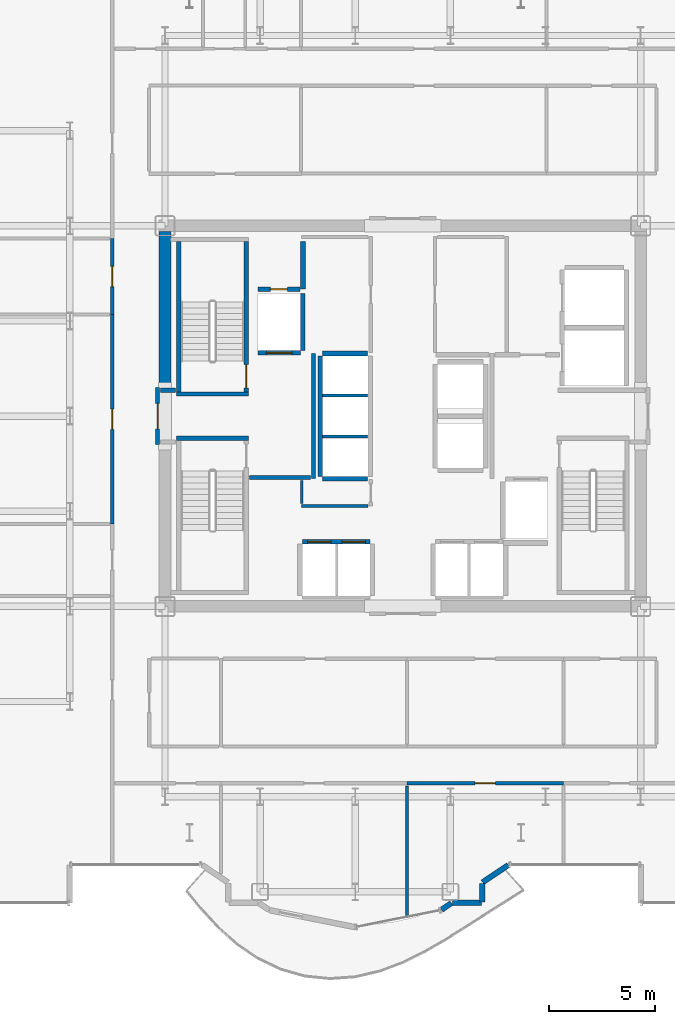
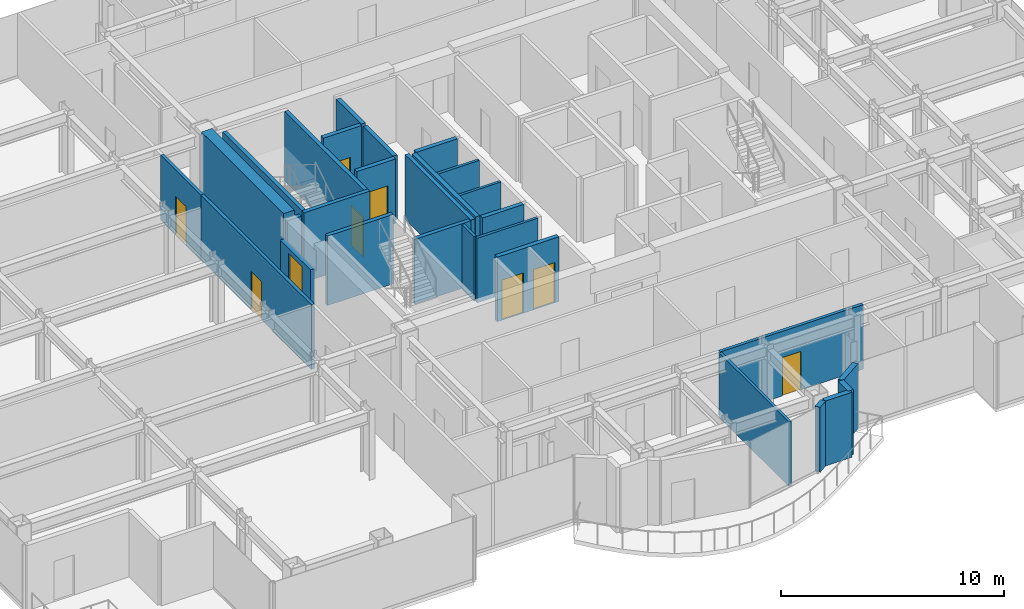
# One storey, part 16 of 23: 29 walls, 9 doors, 9 openings.
"""IFC4 building model written with IfcOpenShell, lengths in metres."""

from ifc_helpers import new_model, si_unit, direction, frame, frame_2d, origin, place, context, subcontext, project, spatial, rectangle, extrude, source, transform, mapped, material, layer, layer_set, type_object, element, fill, save


model = new_model("IFC4")

# Units and contexts
model_context = context("Model", 3, precision=1e-05, world=origin(), true_north=direction((0.0, 1.0)))
body_context = subcontext(model_context, "Body", "Model", "MODEL_VIEW")
ifc_project = project(units=[si_unit("LENGTHUNIT", "METRE"), si_unit("AREAUNIT", "SQUARE_METRE"), si_unit("VOLUMEUNIT", "CUBIC_METRE"), si_unit("PLANEANGLEUNIT", "RADIAN"), si_unit("MASSUNIT", "GRAM", prefix="KILO")], contexts=[model_context])

# Site, building, storey
site_placement = place(None, origin())
site = spatial("IfcSite", under=ifc_project, at=site_placement, CompositionType="ELEMENT")
building_placement = place(site_placement, origin())
building = spatial("IfcBuilding", under=site, at=building_placement, Name="Nefas-Gora Pilgrimage Tower", CompositionType="ELEMENT")
storey_placement = place(building_placement, frame((0.0, 0.0, 164.0)))
storey = spatial("IfcBuildingStorey", under=building, at=storey_placement, Name="L40", CompositionType="ELEMENT", Elevation=164.0)

# Walls
ifc_material_1 = material(Name="Concrete C60/75", Category="concrete")
ifc_layer_1 = layer(ifc_material_1, 0.550048828125)
ifc_layer_set_1 = layer_set([ifc_layer_1], Name="Concrete C60/75")
wall_type_1 = type_object("IfcWallType", Name="SW-CORE-550", PredefinedType="SHEAR", material=ifc_layer_set_1)
shared_shape_1 = source(origin(), body_context, "Body", "SweptSolid", [
    extrude(rectangle(XDim=7.375, YDim=0.550048828125, at=frame_2d((3.6875, 0.0))), origin(), (0.0, 0.0, 1.0), 3.800048828125),
])
wall_1_placement = place(storey_placement, frame((-11.25, 1.35009765625, 0.0), z_axis=(0.0, 0.0, 1.0), x_axis=(0.0, 1.0, 0.0)))
element("IfcWall", 1, at=wall_1_placement, inside=storey, type_object=wall_type_1, Name="L40 Core Shear Wall W-North", PredefinedType="SHEAR", context=body_context, shape_type="MappedRepresentation", body=[
    mapped(shared_shape_1, transform((0.0, 0.0, 0.0), x_axis=(1.0, 0.0, 0.0), y_axis=(0.0, 1.0, 0.0), z_axis=(0.0, 0.0, 1.0), scale=1.0)),
])
ifc_material_2 = material(Name="Precast concrete C40/50", Category="concrete")
ifc_layer_2 = layer(ifc_material_2, 0.260009765625)
ifc_layer_set_2 = layer_set([ifc_layer_2], Name="Precast concrete C40/50")
wall_type_2 = type_object("IfcWallType", Name="EW-PORTAL-260", PredefinedType="SOLIDWALL", material=ifc_layer_set_2)
shared_shape_2 = source(origin(), body_context, "Body", "SweptSolid", [
    extrude(rectangle(XDim=1.468994140625, YDim=0.260009765625, at=frame_2d((0.734375, 0.0))), origin(), (0.0, 0.0, 1.0), 3.550048828125),
])
wall_2_placement = place(storey_placement, frame((3.773193359375, -22.0517578125, 0.0), z_axis=(0.0, 0.0, 1.0), x_axis=(0.831461760506, 0.555581983884, 0.0)))
element("IfcWall", 2, at=wall_2_placement, inside=storey, type_object=wall_type_2, Name="L40 Lobe Shoulder Precast Spandrel Pier 37", PredefinedType="SOLIDWALL", context=body_context, shape_type="MappedRepresentation", body=[
    mapped(shared_shape_2, transform((0.0, 0.0, 0.0), x_axis=(1.0, 0.0, 0.0), y_axis=(0.0, 1.0, 0.0), z_axis=(0.0, 0.0, 1.0), scale=1.0)),
])
shared_shape_3 = source(origin(), body_context, "Body", "SweptSolid", [
    extrude(rectangle(XDim=0.896728515625, YDim=0.260009765625, at=frame_2d((0.4482421875, 0.0))), origin(), (0.0, 0.0, 1.0), 3.550048828125),
])
wall_3_placement = place(storey_placement, frame((3.75, -22.991943359375, 0.0), z_axis=(0.0, 0.0, 1.0), x_axis=(0.0, 1.0, 0.0)))
element("IfcWall", 3, at=wall_3_placement, inside=storey, type_object=wall_type_2, Name="L40 Lobe Shoulder Precast Spandrel Pier 36", PredefinedType="SOLIDWALL", context=body_context, shape_type="MappedRepresentation", body=[
    mapped(shared_shape_3, transform((0.0, 0.0, 0.0), x_axis=(1.0, 0.0, 0.0), y_axis=(0.0, 1.0, 0.0), z_axis=(0.0, 0.0, 1.0), scale=1.0)),
])
shared_shape_4 = source(origin(), body_context, "Body", "SweptSolid", [
    extrude(rectangle(XDim=1.369873046875, YDim=0.260009765625, at=frame_2d((0.68505859375, 0.0))), origin(), (0.0, 0.0, 1.0), 3.550048828125),
])
wall_4_placement = place(storey_placement, frame((2.35205078125, -23.02001953125, 0.0), z_axis=(0.0, 0.0, 1.0), x_axis=(1.0, 0.0, 0.0)))
element("IfcWall", 4, at=wall_4_placement, inside=storey, type_object=wall_type_2, Name="L40 Lobe Shoulder Precast Spandrel Pier 35", PredefinedType="SOLIDWALL", context=body_context, shape_type="MappedRepresentation", body=[
    mapped(shared_shape_4, transform((0.0, 0.0, 0.0), x_axis=(1.0, 0.0, 0.0), y_axis=(0.0, 1.0, 0.0), z_axis=(0.0, 0.0, 1.0), scale=1.0)),
])
shared_shape_5 = source(origin(), body_context, "Body", "SweptSolid", [
    extrude(rectangle(XDim=0.5654296875, YDim=0.260009765625, at=frame_2d((0.28271484375, 0.0))), origin(), (0.0, 0.0, 1.0), 3.550048828125),
])
wall_5_placement = place(storey_placement, frame((1.83056640625, -23.349609375, 0.0), z_axis=(0.0, 0.0, 1.0), x_axis=(0.831651492666, 0.555297933317, 0.0)))
element("IfcWall", 5, at=wall_5_placement, inside=storey, type_object=wall_type_2, Name="L40 Lobe Shoulder Precast Spandrel Pier 34", PredefinedType="SOLIDWALL", context=body_context, shape_type="MappedRepresentation", body=[
    mapped(shared_shape_5, transform((0.0, 0.0, 0.0), x_axis=(1.0, 0.0, 0.0), y_axis=(0.0, 1.0, 0.0), z_axis=(0.0, 0.0, 1.0), scale=1.0)),
])
ifc_material_3 = material(Name="Concrete C45/55", Category="concrete")
ifc_layer_3 = layer(ifc_material_3, 0.199951171875)
ifc_layer_set_3 = layer_set([ifc_layer_3], Name="Concrete C45/55")
wall_type_3 = type_object("IfcWallType", Name="IW-STAIR-200", PredefinedType="SOLIDWALL", material=ifc_layer_set_3)
shared_shape_6 = source(origin(), body_context, "Body", "SweptSolid", [
    extrude(rectangle(XDim=3.39990234375, YDim=0.199951171875, at=frame_2d((1.699951171875, 0.0))), origin(), (0.0, 0.0, 1.0), 3.800048828125),
])
for number, where, z_axis, x_axis, name in (
    (6, (-7.300048828125, 1.050048828125, 0.0), (0.0, 0.0, 1.0), (-1.0, 0.0, 0.0), "L40 Stairwell Shear Wall ST-01-near"),
    (7, (-10.699951171875, -1.050048828125, 0.0), (0.0, 0.0, 1.0), (1.0, 0.0, 0.0), "L40 Stairwell Shear Wall ST-03-near"),
):
    element("IfcWall", number, at=place(storey_placement, frame(where, z_axis=z_axis, x_axis=x_axis)), inside=storey, type_object=wall_type_3, Name=name, PredefinedType="SOLIDWALL", context=body_context, shape_type="MappedRepresentation", body=[
        mapped(shared_shape_6, transform((0.0, 0.0, 0.0), x_axis=(1.0, 0.0, 0.0), y_axis=(0.0, 1.0, 0.0), z_axis=(0.0, 0.0, 1.0), scale=1.0)),
    ])

# Wall, opening, door
shared_shape_7 = source(origin(), body_context, "Body", "SweptSolid", [
    extrude(rectangle(XDim=7.10009765625, YDim=0.199951171875, at=frame_2d((3.550048828125, 0.0))), origin(), (0.0, 0.0, 1.0), 3.800048828125),
])
wall_6_placement = place(storey_placement, frame((-7.39990234375, 1.14990234375, 0.0), z_axis=(0.0, 0.0, 1.0), x_axis=(0.0, 1.0, 0.0)))
wall_6 = element("IfcWall", 8, at=wall_6_placement, inside=storey, type_object=wall_type_3, Name="L40 Stairwell Shear Wall ST-01-left", PredefinedType="SOLIDWALL", context=body_context, shape_type="MappedRepresentation", body=[
    mapped(shared_shape_7, transform((0.0, 0.0, 0.0), x_axis=(1.0, 0.0, 0.0), y_axis=(0.0, 1.0, 0.0), z_axis=(0.0, 0.0, 1.0), scale=1.0)),
])
opening_1_placement = place(wall_6_placement, frame((0.179931640625, 0.0, 0.0)))
opening_1 = element("IfcOpeningElement", 9, at=opening_1_placement, cuts=wall_6, Name="Opening ID-ST1", PredefinedType="OPENING", context=body_context, shape_type="SweptSolid", body=[
    extrude(rectangle(XDim=1.10009765625, YDim=2.14990234375, at=frame_2d((0.550048828125, 1.074951171875))), frame((0.0, 0.10986328125, 0.0), z_axis=(0.0, -1.0, 0.0), x_axis=(1.0, 0.0, 0.0)), (0.0, 0.0, 1.0), 0.219970703125),
])
ifc_material_4 = material(Name="Painted galvanised steel fire stair door", Category="steel")
door_type_1 = type_object("IfcDoorType", Name="DR-INT-STAIR-1100", OperationType="NOTDEFINED", PredefinedType="DOOR", material=ifc_material_4)
shared_shape_8 = source(origin(), body_context, "Body", "SweptSolid", [
    extrude(rectangle(XDim=1.10009765625, YDim=2.14990234375, at=frame_2d((0.550048828125, 1.074951171875))), frame((0.0, 0.02490234375, 0.0), z_axis=(0.0, -1.0, 0.0), x_axis=(1.0, 0.0, 0.0)), (0.0, 0.0, 1.0), 0.050048828125),
])
door_1_placement = place(opening_1_placement, origin())
door_1 = element("IfcDoor", 10, at=door_1_placement, inside=storey, type_object=door_type_1, Name="L40 Protected Exit Stair Door ST-01", OperationType="SINGLE_SWING_RIGHT", OverallHeight=2.14990234375, OverallWidth=1.10009765625, PredefinedType="DOOR", context=body_context, shape_type="MappedRepresentation", body=[
    mapped(shared_shape_8, transform((0.0, 0.0, 0.0), x_axis=(1.0, 0.0, 0.0), y_axis=(0.0, 1.0, 0.0), z_axis=(0.0, 0.0, 1.0), scale=1.0)),
])
fill(opening_1, door_1)

# Wall
wall_7_placement = place(storey_placement, frame((-10.60009765625, 1.14990234375, 0.0), z_axis=(0.0, 0.0, 1.0), x_axis=(0.0, 1.0, 0.0)))
element("IfcWall", 11, at=wall_7_placement, inside=storey, type_object=wall_type_3, Name="L40 Stairwell Shear Wall ST-01-right", PredefinedType="SOLIDWALL", context=body_context, shape_type="MappedRepresentation", body=[
    mapped(shared_shape_7, transform((0.0, 0.0, 0.0), x_axis=(1.0, 0.0, 0.0), y_axis=(0.0, 1.0, 0.0), z_axis=(0.0, 0.0, 1.0), scale=1.0)),
])

# Wall, opening, door
ifc_material_5 = material(Name="Concrete C40/50", Category="concrete")
ifc_layer_4 = layer(ifc_material_5, 0.219970703125)
ifc_layer_set_4 = layer_set([ifc_layer_4], Name="Concrete C40/50")
wall_type_4 = type_object("IfcWallType", Name="IW-SHAFT-220", PredefinedType="SOLIDWALL", material=ifc_layer_set_4)
shared_shape_9 = source(origin(), body_context, "Body", "SweptSolid", [
    extrude(rectangle(XDim=2.0, YDim=0.219970703125, at=frame_2d((1.0, 0.0))), origin(), (0.0, 0.0, 1.0), 3.534912109375),
])
wall_8_placement = place(storey_placement, frame((-6.85009765625, 2.989990234375, 0.0), z_axis=(0.0, 0.0, 1.0), x_axis=(1.0, 0.0, 0.0)))
wall_8 = element("IfcWall", 12, at=wall_8_placement, inside=storey, type_object=wall_type_4, Name="L40 Hoistway Wall FFL-01-S", PredefinedType="SOLIDWALL", context=body_context, shape_type="MappedRepresentation", body=[
    mapped(shared_shape_9, transform((0.0, 0.0, 0.0), x_axis=(1.0, 0.0, 0.0), y_axis=(0.0, 1.0, 0.0), z_axis=(0.0, 0.0, 1.0), scale=1.0)),
])
opening_2_placement = place(wall_8_placement, frame((0.39990234375, 0.0, 0.0)))
opening_2 = element("IfcOpeningElement", 13, at=opening_2_placement, cuts=wall_8, Name="Opening LD-FF", PredefinedType="OPENING", context=body_context, shape_type="SweptSolid", body=[
    extrude(rectangle(XDim=1.199951171875, YDim=2.199951171875, at=frame_2d((0.60009765625, 1.10009765625))), frame((0.0, 0.119873046875, 0.0), z_axis=(0.0, -1.0, 0.0), x_axis=(1.0, 0.0, 0.0)), (0.0, 0.0, 1.0), 0.239990234375),
])
ifc_material_6 = material(Name="Fire-service sliding lift landing door")
door_type_2 = type_object("IfcDoorType", Name="DR-LIFT-FSAE-1200", OperationType="SLIDING_TO_LEFT", PredefinedType="DOOR", material=ifc_material_6)
shared_shape_10 = source(origin(), body_context, "Body", "SweptSolid", [
    extrude(rectangle(XDim=1.199951171875, YDim=2.199951171875, at=frame_2d((0.60009765625, 1.10009765625))), frame((0.0, 0.02490234375, 0.0), z_axis=(0.0, -1.0, 0.0), x_axis=(1.0, 0.0, 0.0)), (0.0, 0.0, 1.0), 0.050048828125),
])
door_2_placement = place(opening_2_placement, origin())
door_2 = element("IfcDoor", 14, at=door_2_placement, inside=storey, type_object=door_type_2, Name="L40 Sliding Lift Landing Door FFL-01", OperationType="SLIDING_TO_LEFT", OverallHeight=2.199951171875, OverallWidth=1.199951171875, PredefinedType="DOOR", context=body_context, shape_type="MappedRepresentation", body=[
    mapped(shared_shape_10, transform((0.0, 0.0, 0.0), x_axis=(1.0, 0.0, 0.0), y_axis=(0.0, 1.0, 0.0), z_axis=(0.0, 0.0, 1.0), scale=1.0)),
])
fill(opening_2, door_2)

# Wall
shared_shape_11 = source(origin(), body_context, "Body", "SweptSolid", [
    extrude(rectangle(XDim=2.679931640625, YDim=0.219970703125, at=frame_2d((1.33984375, 0.0))), origin(), (0.0, 0.0, 1.0), 3.534912109375),
])
wall_9_placement = place(storey_placement, frame((-4.739990234375, 3.110107421875, 0.0), z_axis=(0.0, 0.0, 1.0), x_axis=(0.0, 1.0, 0.0)))
element("IfcWall", 15, at=wall_9_placement, inside=storey, type_object=wall_type_4, Name="L40 Hoistway Wall FFL-01-E", PredefinedType="SOLIDWALL", context=body_context, shape_type="MappedRepresentation", body=[
    mapped(shared_shape_11, transform((0.0, 0.0, 0.0), x_axis=(1.0, 0.0, 0.0), y_axis=(0.0, 1.0, 0.0), z_axis=(0.0, 0.0, 1.0), scale=1.0)),
])

# Wall, openings, doors
shared_shape_12 = source(origin(), body_context, "Body", "SweptSolid", [
    extrude(rectangle(XDim=3.199951171875, YDim=0.219970703125, at=frame_2d((1.60009765625, 0.0))), origin(), (0.0, 0.0, 1.0), 3.534912109375),
])
wall_10_placement = place(storey_placement, frame((-1.550048828125, -5.93994140625, 0.0), z_axis=(0.0, 0.0, 1.0), x_axis=(-1.0, 0.0, 0.0)))
wall_10 = element("IfcWall", 16, at=wall_10_placement, inside=storey, type_object=wall_type_4, Name="L40 Hoistway Wall PL2-W-N", PredefinedType="SOLIDWALL", context=body_context, shape_type="MappedRepresentation", body=[
    mapped(shared_shape_12, transform((0.0, 0.0, 0.0), x_axis=(1.0, 0.0, 0.0), y_axis=(0.0, 1.0, 0.0), z_axis=(0.0, 0.0, 1.0), scale=1.0)),
])
opening_3_placement = place(wall_10_placement, frame((1.85009765625, 0.0, 0.0)))
opening_3 = element("IfcOpeningElement", 17, at=opening_3_placement, cuts=wall_10, Name="Opening LD-01", PredefinedType="OPENING", context=body_context, shape_type="SweptSolid", body=[
    extrude(rectangle(XDim=1.10009765625, YDim=2.199951171875, at=frame_2d((0.550048828125, 1.10009765625))), frame((0.0, 0.119873046875, 0.0), z_axis=(0.0, -1.0, 0.0), x_axis=(1.0, 0.0, 0.0)), (0.0, 0.0, 1.0), 0.239990234375),
])
opening_4_placement = place(wall_10_placement, frame((0.22509765625, 0.0, 0.0)))
opening_4 = element("IfcOpeningElement", 18, at=opening_4_placement, cuts=wall_10, Name="Opening LD-01", PredefinedType="OPENING", context=body_context, shape_type="SweptSolid", body=[
    extrude(rectangle(XDim=1.10009765625, YDim=2.199951171875, at=frame_2d((0.550048828125, 1.10009765625))), frame((0.0, 0.119873046875, 0.0), z_axis=(0.0, -1.0, 0.0), x_axis=(1.0, 0.0, 0.0)), (0.0, 0.0, 1.0), 0.239990234375),
])
ifc_material_7 = material(Name="Brushed stainless sliding lift landing door")
door_type_3 = type_object("IfcDoorType", Name="DR-LIFT-PASS-1100", OperationType="DOUBLE_DOOR_SLIDING", PredefinedType="DOOR", material=ifc_material_7)
shared_shape_13 = source(origin(), body_context, "Body", "SweptSolid", [
    extrude(rectangle(XDim=1.10009765625, YDim=2.199951171875, at=frame_2d((0.550048828125, 1.10009765625))), frame((0.0, 0.02490234375, 0.0), z_axis=(0.0, -1.0, 0.0), x_axis=(1.0, 0.0, 0.0)), (0.0, 0.0, 1.0), 0.050048828125),
])
door_3_placement = place(opening_3_placement, origin())
door_3 = element("IfcDoor", 19, at=door_3_placement, inside=storey, type_object=door_type_3, Name="L40 Sliding Lift Landing Door PL2-01", OperationType="DOUBLE_DOOR_SLIDING", OverallHeight=2.199951171875, OverallWidth=1.10009765625, PredefinedType="DOOR", context=body_context, shape_type="MappedRepresentation", body=[
    mapped(shared_shape_13, transform((0.0, 0.0, 0.0), x_axis=(1.0, 0.0, 0.0), y_axis=(0.0, 1.0, 0.0), z_axis=(0.0, 0.0, 1.0), scale=1.0)),
])
fill(opening_3, door_3)
door_4_placement = place(opening_4_placement, origin())
door_4 = element("IfcDoor", 20, at=door_4_placement, inside=storey, type_object=door_type_3, Name="L40 Sliding Lift Landing Door PL2-02", OperationType="DOUBLE_DOOR_SLIDING", OverallHeight=2.199951171875, OverallWidth=1.10009765625, PredefinedType="DOOR", context=body_context, shape_type="MappedRepresentation", body=[
    mapped(shared_shape_13, transform((0.0, 0.0, 0.0), x_axis=(1.0, 0.0, 0.0), y_axis=(0.0, 1.0, 0.0), z_axis=(0.0, 0.0, 1.0), scale=1.0)),
])
fill(opening_4, door_4)

# Walls
shared_shape_14 = source(origin(), body_context, "Body", "SweptSolid", [
    extrude(rectangle(XDim=5.7001953125, YDim=0.219970703125, at=frame_2d((2.85009765625, 0.0))), origin(), (0.0, 0.0, 1.0), 3.534912109375),
])
wall_11_placement = place(storey_placement, frame((-3.909912109375, 2.85009765625, 0.0), z_axis=(0.0, 0.0, 1.0), x_axis=(0.0, -1.0, 0.0)))
element("IfcWall", 21, at=wall_11_placement, inside=storey, type_object=wall_type_4, Name="L40 Hoistway Wall PL3-01-03-W", PredefinedType="SOLIDWALL", context=body_context, shape_type="MappedRepresentation", body=[
    mapped(shared_shape_14, transform((0.0, 0.0, 0.0), x_axis=(1.0, 0.0, 0.0), y_axis=(0.0, 1.0, 0.0), z_axis=(0.0, 0.0, 1.0), scale=1.0)),
])
shared_shape_15 = source(origin(), body_context, "Body", "SweptSolid", [
    extrude(rectangle(XDim=2.130126953125, YDim=0.219970703125, at=frame_2d((1.06494140625, 0.0))), origin(), (0.0, 0.0, 1.0), 3.534912109375),
])
for number, where, z_axis, x_axis, name in (
    (22, (-3.7900390625, -2.9599609375, 0.0), (0.0, 0.0, 1.0), (1.0, 0.0, 0.0), "L40 Hoistway Wall PL3-01-S"),
    (23, (-1.659912109375, 2.9599609375, 0.0), (0.0, 0.0, 1.0), (-1.0, 0.0, 0.0), "L40 Hoistway Wall PL3-03-N"),
):
    element("IfcWall", number, at=place(storey_placement, frame(where, z_axis=z_axis, x_axis=x_axis)), inside=storey, type_object=wall_type_4, Name=name, PredefinedType="SOLIDWALL", context=body_context, shape_type="MappedRepresentation", body=[
        mapped(shared_shape_15, transform((0.0, 0.0, 0.0), x_axis=(1.0, 0.0, 0.0), y_axis=(0.0, 1.0, 0.0), z_axis=(0.0, 0.0, 1.0), scale=1.0)),
    ])
ifc_material_8 = material(Name="Gypsum twin-stud partition")
ifc_layer_5 = layer(ifc_material_8, 0.139892578125)
ifc_layer_set_5 = layer_set([ifc_layer_5], Name="Gypsum twin-stud partition")
wall_type_5 = type_object("IfcWallType", Name="IW-UNIT-140", PredefinedType="PARTITIONING", material=ifc_layer_set_5)
shared_shape_16 = source(origin(), body_context, "Body", "SweptSolid", [
    extrude(rectangle(XDim=2.130126953125, YDim=0.139892578125, at=frame_2d((1.06494140625, 0.0))), origin(), (0.0, 0.0, 1.0), 3.534912109375),
])
for number, where, z_axis, x_axis, name in (
    (24, (-3.7900390625, -0.97509765625, 0.0), (0.0, 0.0, 1.0), (1.0, 0.0, 0.0), "L40 Hoistway Wall PL3-01-02-DIV"),
    (25, (-3.7900390625, 0.97509765625, 0.0), (0.0, 0.0, 1.0), (1.0, 0.0, 0.0), "L40 Hoistway Wall PL3-02-03-DIV"),
):
    element("IfcWall", number, at=place(storey_placement, frame(where, z_axis=z_axis, x_axis=x_axis)), inside=storey, type_object=wall_type_5, Name=name, PredefinedType="PARTITIONING", context=body_context, shape_type="MappedRepresentation", body=[
        mapped(shared_shape_16, transform((0.0, 0.0, 0.0), x_axis=(1.0, 0.0, 0.0), y_axis=(0.0, 1.0, 0.0), z_axis=(0.0, 0.0, 1.0), scale=1.0)),
    ])

# Wall, opening, door
ifc_material_9 = material(Name="Gypsum fire-rated shaftwall")
ifc_layer_6 = layer(ifc_material_9, 0.199951171875)
ifc_layer_set_6 = layer_set([ifc_layer_6], Name="Gypsum fire-rated shaftwall")
wall_type_6 = type_object("IfcWallType", Name="IW-FFLOB-200", PredefinedType="PARTITIONING", material=ifc_layer_set_6)
shared_shape_17 = source(origin(), body_context, "Body", "SweptSolid", [
    extrude(rectangle(XDim=2.7001953125, YDim=0.199951171875, at=frame_2d((1.35009765625, 0.0))), origin(), (0.0, 0.0, 1.0), 2.425048828125),
])
wall_12_placement = place(storey_placement, frame((-11.60009765625, -1.35009765625, 0.0), z_axis=(0.0, 0.0, 1.0), x_axis=(0.0, 1.0, 0.0)))
wall_12 = element("IfcWall", 26, at=wall_12_placement, inside=storey, type_object=wall_type_6, Name="L40 FF Lobby West Portal Wall 4", PredefinedType="PARTITIONING", context=body_context, shape_type="MappedRepresentation", body=[
    mapped(shared_shape_17, transform((0.0, 0.0, 0.0), x_axis=(1.0, 0.0, 0.0), y_axis=(0.0, 1.0, 0.0), z_axis=(0.0, 0.0, 1.0), scale=1.0)),
])
opening_5_placement = place(wall_12_placement, frame((0.75, 0.0, 0.0)))
opening_5 = element("IfcOpeningElement", 27, at=opening_5_placement, cuts=wall_12, Name="Opening ID-FF1", PredefinedType="OPENING", context=body_context, shape_type="SweptSolid", body=[
    extrude(rectangle(XDim=1.199951171875, YDim=2.14990234375, at=frame_2d((0.60009765625, 1.074951171875))), frame((0.0, 0.10986328125, 0.0), z_axis=(0.0, -1.0, 0.0), x_axis=(1.0, 0.0, 0.0)), (0.0, 0.0, 1.0), 0.219970703125),
])
ifc_material_10 = material(Name="Smoke-sealed steel firefighting lobby door", Category="steel")
door_type_4 = type_object("IfcDoorType", Name="DR-INT-FFLOB-1200", OperationType="NOTDEFINED", PredefinedType="DOOR", material=ifc_material_10)
shared_shape_18 = source(origin(), body_context, "Body", "SweptSolid", [
    extrude(rectangle(XDim=1.199951171875, YDim=2.14990234375, at=frame_2d((0.60009765625, 1.074951171875))), frame((0.0, 0.02490234375, 0.0), z_axis=(0.0, -1.0, 0.0), x_axis=(1.0, 0.0, 0.0)), (0.0, 0.0, 1.0), 0.050048828125),
])
door_5_placement = place(opening_5_placement, origin())
door_5 = element("IfcDoor", 28, at=door_5_placement, inside=storey, type_object=door_type_4, Name="L40 FF Lobby West Portal Door 2", OperationType="SINGLE_SWING_LEFT", OverallHeight=2.14990234375, OverallWidth=1.199951171875, PredefinedType="DOOR", context=body_context, shape_type="MappedRepresentation", body=[
    mapped(shared_shape_18, transform((0.0, 0.0, 0.0), x_axis=(1.0, 0.0, 0.0), y_axis=(0.0, 1.0, 0.0), z_axis=(0.0, 0.0, 1.0), scale=1.0)),
])
fill(opening_5, door_5)

# Walls
shared_shape_19 = source(origin(), body_context, "Body", "SweptSolid", [
    extrude(rectangle(XDim=5.89990234375, YDim=0.199951171875, at=frame_2d((2.949951171875, 0.0))), origin(), (0.0, 0.0, 1.0), 3.534912109375),
])
wall_13_placement = place(storey_placement, frame((-4.219970703125, -2.949951171875, 0.0), z_axis=(0.0, 0.0, 1.0), x_axis=(0.0, 1.0, 0.0)))
element("IfcWall", 29, at=wall_13_placement, inside=storey, type_object=wall_type_6, Name="L40 FF Lobby West Inner Wall Wall 5", PredefinedType="PARTITIONING", context=body_context, shape_type="MappedRepresentation", body=[
    mapped(shared_shape_19, transform((0.0, 0.0, 0.0), x_axis=(1.0, 0.0, 0.0), y_axis=(0.0, 1.0, 0.0), z_axis=(0.0, 0.0, 1.0), scale=1.0)),
])
shared_shape_20 = source(origin(), body_context, "Body", "SweptSolid", [
    extrude(rectangle(XDim=2.89990234375, YDim=0.199951171875, at=frame_2d((1.449951171875, 0.0))), origin(), (0.0, 0.0, 1.0), 3.534912109375),
])
wall_14_placement = place(storey_placement, frame((-7.260009765625, -2.89990234375, 0.0), z_axis=(0.0, 0.0, 1.0), x_axis=(1.0, 0.0, 0.0)))
element("IfcWall", 30, at=wall_14_placement, inside=storey, type_object=wall_type_6, Name="L40 FF Lobby West South Wall Wall 6", PredefinedType="PARTITIONING", context=body_context, shape_type="MappedRepresentation", body=[
    mapped(shared_shape_20, transform((0.0, 0.0, 0.0), x_axis=(1.0, 0.0, 0.0), y_axis=(0.0, 1.0, 0.0), z_axis=(0.0, 0.0, 1.0), scale=1.0)),
])
shared_shape_21 = source(origin(), body_context, "Body", "SweptSolid", [
    extrude(rectangle(XDim=0.719970703125, YDim=0.199951171875, at=frame_2d((0.35986328125, 0.0))), origin(), (0.0, 0.0, 1.0), 3.534912109375),
])
wall_15_placement = place(storey_placement, frame((-11.4599609375, 1.219970703125, 0.0), z_axis=(0.0, 0.0, 1.0), x_axis=(1.0, 0.0, 0.0)))
element("IfcWall", 31, at=wall_15_placement, inside=storey, type_object=wall_type_6, Name="L40 FF Lobby West Throat N Wall 7", PredefinedType="PARTITIONING", context=body_context, shape_type="MappedRepresentation", body=[
    mapped(shared_shape_21, transform((0.0, 0.0, 0.0), x_axis=(1.0, 0.0, 0.0), y_axis=(0.0, 1.0, 0.0), z_axis=(0.0, 0.0, 1.0), scale=1.0)),
])

# Wall, opening, door
ifc_material_11 = material(Name="Gypsum acoustic stud partition")
ifc_layer_7 = layer(ifc_material_11, 0.159912109375)
ifc_layer_set_7 = layer_set([ifc_layer_7], Name="Gypsum acoustic stud partition")
wall_type_7 = type_object("IfcWallType", Name="IW-CORR-160", PredefinedType="PARTITIONING", material=ifc_layer_set_7)
shared_shape_22 = source(origin(), body_context, "Body", "SweptSolid", [
    extrude(rectangle(XDim=3.610107421875, YDim=0.159912109375, at=frame_2d((1.80517578125, 0.0))), origin(), (0.0, 0.0, 1.0), 3.534912109375),
])
wall_16_placement = place(storey_placement, frame((-13.739990234375, 4.794921875, 0.0), z_axis=(0.0, 0.0, 1.0), x_axis=(0.0, 1.0, 0.0)))
wall_16 = element("IfcWall", 32, at=wall_16_placement, inside=storey, type_object=wall_type_7, Name="L40 Pilgrim Fellowship Seminar Room Partition Wall 34", PredefinedType="PARTITIONING", context=body_context, shape_type="MappedRepresentation", body=[
    mapped(shared_shape_22, transform((0.0, 0.0, 0.0), x_axis=(1.0, 0.0, 0.0), y_axis=(0.0, 1.0, 0.0), z_axis=(0.0, 0.0, 1.0), scale=1.0)),
])
opening_6_placement = place(wall_16_placement, frame((1.330078125, 0.0, 0.0)))
opening_6 = element("IfcOpeningElement", 33, at=opening_6_placement, cuts=wall_16, Name="Opening ID-GR1", PredefinedType="OPENING", context=body_context, shape_type="SweptSolid", body=[
    extrude(rectangle(XDim=0.949951171875, YDim=2.10009765625, at=frame_2d((0.47509765625, 1.050048828125))), frame((0.0, 0.08984375, 0.0), z_axis=(0.0, -1.0, 0.0), x_axis=(1.0, 0.0, 0.0)), (0.0, 0.0, 1.0), 0.179931640625),
])
ifc_material_12 = material(Name="Solid core oak fire-rated guest entrance door")
door_type_5 = type_object("IfcDoorType", Name="DR-INT-GUEST-950", OperationType="NOTDEFINED", PredefinedType="DOOR", material=ifc_material_12)
shared_shape_23 = source(origin(), body_context, "Body", "SweptSolid", [
    extrude(rectangle(XDim=0.949951171875, YDim=2.10009765625, at=frame_2d((0.47509765625, 1.050048828125))), frame((0.0, 0.02490234375, 0.0), z_axis=(0.0, -1.0, 0.0), x_axis=(1.0, 0.0, 0.0)), (0.0, 0.0, 1.0), 0.050048828125),
])
door_6_placement = place(opening_6_placement, origin())
door_6 = element("IfcDoor", 34, at=door_6_placement, inside=storey, type_object=door_type_5, Name="L40 Pilgrim Fellowship Seminar Room Door 14", OperationType="SINGLE_SWING_LEFT", OverallHeight=2.10009765625, OverallWidth=0.949951171875, PredefinedType="DOOR", context=body_context, shape_type="MappedRepresentation", body=[
    mapped(shared_shape_23, transform((0.0, 0.0, 0.0), x_axis=(1.0, 0.0, 0.0), y_axis=(0.0, 1.0, 0.0), z_axis=(0.0, 0.0, 1.0), scale=1.0)),
])
fill(opening_6, door_6)

# Walls
shared_shape_24 = source(origin(), body_context, "Body", "SweptSolid", [
    extrude(rectangle(XDim=3.150146484375, YDim=0.139892578125, at=frame_2d((1.5751953125, 0.0))), origin(), (0.0, 0.0, 1.0), 3.534912109375),
])
wall_17_placement = place(storey_placement, frame((-4.7900390625, -4.25, 0.0), z_axis=(0.0, 0.0, 1.0), x_axis=(1.0, 0.0, 0.0)))
element("IfcWall", 35, at=wall_17_placement, inside=storey, type_object=wall_type_5, Name="L40 Pilgrim Baggage and Gear Vault Partition Wall 21", PredefinedType="PARTITIONING", context=body_context, shape_type="MappedRepresentation", body=[
    mapped(shared_shape_24, transform((0.0, 0.0, 0.0), x_axis=(1.0, 0.0, 0.0), y_axis=(0.0, 1.0, 0.0), z_axis=(0.0, 0.0, 1.0), scale=1.0)),
])
shared_shape_25 = source(origin(), body_context, "Body", "SweptSolid", [
    extrude(rectangle(XDim=1.099853515625, YDim=0.139892578125, at=frame_2d((0.5498046875, 0.0))), origin(), (0.0, 0.0, 1.0), 3.534912109375),
])
wall_18_placement = place(storey_placement, frame((-4.780029296875, -4.139892578125, 0.0), z_axis=(0.0, 0.0, 1.0), x_axis=(0.0, 1.0, 0.0)))
element("IfcWall", 36, at=wall_18_placement, inside=storey, type_object=wall_type_5, Name="L40 Pilgrim Baggage and Gear Vault Partition Wall 22", PredefinedType="PARTITIONING", context=body_context, shape_type="MappedRepresentation", body=[
    mapped(shared_shape_25, transform((0.0, 0.0, 0.0), x_axis=(1.0, 0.0, 0.0), y_axis=(0.0, 1.0, 0.0), z_axis=(0.0, 0.0, 1.0), scale=1.0)),
])

# Wall, opening, door
shared_shape_26 = source(origin(), body_context, "Body", "SweptSolid", [
    extrude(rectangle(XDim=7.409912109375, YDim=0.159912109375, at=frame_2d((3.705078125, 0.0))), origin(), (0.0, 0.0, 1.0), 3.534912109375),
])
wall_19_placement = place(storey_placement, frame((0.195068359375, -17.3701171875, 0.0), z_axis=(0.0, 0.0, 1.0), x_axis=(1.0, 0.0, 0.0)))
wall_19 = element("IfcWall", 37, at=wall_19_placement, inside=storey, type_object=wall_type_7, Name="L40 Pilgrim Contemplative Lounge Partition Wall 75", PredefinedType="PARTITIONING", context=body_context, shape_type="MappedRepresentation", body=[
    mapped(shared_shape_26, transform((0.0, 0.0, 0.0), x_axis=(1.0, 0.0, 0.0), y_axis=(0.0, 1.0, 0.0), z_axis=(0.0, 0.0, 1.0), scale=1.0)),
])
opening_7_placement = place(wall_19_placement, frame((3.22998046875, 0.0, 0.0)))
opening_7 = element("IfcOpeningElement", 38, at=opening_7_placement, cuts=wall_19, Name="Opening ID-GR1", PredefinedType="OPENING", context=body_context, shape_type="SweptSolid", body=[
    extrude(rectangle(XDim=0.949951171875, YDim=2.10009765625, at=frame_2d((0.47509765625, 1.050048828125))), frame((0.0, 0.08984375, 0.0), z_axis=(0.0, -1.0, 0.0), x_axis=(1.0, 0.0, 0.0)), (0.0, 0.0, 1.0), 0.179931640625),
])
door_7_placement = place(opening_7_placement, origin())
door_7 = element("IfcDoor", 39, at=door_7_placement, inside=storey, type_object=door_type_5, Name="L40 Pilgrim Contemplative Lounge Door 33", OperationType="SINGLE_SWING_RIGHT", OverallHeight=2.10009765625, OverallWidth=0.949951171875, PredefinedType="DOOR", context=body_context, shape_type="MappedRepresentation", body=[
    mapped(shared_shape_23, transform((0.0, 0.0, 0.0), x_axis=(1.0, 0.0, 0.0), y_axis=(0.0, 1.0, 0.0), z_axis=(0.0, 0.0, 1.0), scale=1.0)),
])
fill(opening_7, door_7)

# Wall
shared_shape_27 = source(origin(), body_context, "Body", "SweptSolid", [
    extrude(rectangle(XDim=2.25, YDim=0.219970703125, at=frame_2d((1.125, 0.0))), origin(), (0.0, 0.0, 1.0), 3.534912109375),
])
wall_20_placement = place(storey_placement, frame((-4.719970703125, 6.0, 0.0), z_axis=(0.0, 0.0, 1.0), x_axis=(0.0, 1.0, 0.0)))
element("IfcWall", 40, at=wall_20_placement, inside=storey, type_object=wall_type_4, Name="L40 Riser Shaft Wall 1", PredefinedType="SOLIDWALL", context=body_context, shape_type="MappedRepresentation", body=[
    mapped(shared_shape_27, transform((0.0, 0.0, 0.0), x_axis=(1.0, 0.0, 0.0), y_axis=(0.0, 1.0, 0.0), z_axis=(0.0, 0.0, 1.0), scale=1.0)),
])

# Wall, opening, door
shared_shape_28 = source(origin(), body_context, "Body", "SweptSolid", [
    extrude(rectangle(XDim=1.97998046875, YDim=0.219970703125, at=frame_2d((0.989990234375, 0.0))), origin(), (0.0, 0.0, 1.0), 3.534912109375),
])
wall_21_placement = place(storey_placement, frame((-6.85009765625, 6.0, 0.0), z_axis=(0.0, 0.0, 1.0), x_axis=(1.0, 0.0, 0.0)))
wall_21 = element("IfcWall", 41, at=wall_21_placement, inside=storey, type_object=wall_type_4, Name="L40 Riser Shaft Wall 2", PredefinedType="SOLIDWALL", context=body_context, shape_type="MappedRepresentation", body=[
    mapped(shared_shape_28, transform((0.0, 0.0, 0.0), x_axis=(1.0, 0.0, 0.0), y_axis=(0.0, 1.0, 0.0), z_axis=(0.0, 0.0, 1.0), scale=1.0)),
])
opening_8_placement = place(wall_21_placement, frame((0.590087890625, 0.0, 0.0)))
opening_8 = element("IfcOpeningElement", 42, at=opening_8_placement, cuts=wall_21, Name="Opening ID-TR1", PredefinedType="OPENING", context=body_context, shape_type="SweptSolid", body=[
    extrude(rectangle(XDim=0.800048828125, YDim=2.0, at=frame_2d((0.39990234375, 1.0))), frame((0.0, 0.119873046875, 0.0), z_axis=(0.0, -1.0, 0.0), x_axis=(1.0, 0.0, 0.0)), (0.0, 0.0, 1.0), 0.239990234375),
])
ifc_material_13 = material(Name="Riser maintenance fire access door")
door_type_6 = type_object("IfcDoorType", Name="DR-INT-TRAP-800", OperationType="NOTDEFINED", PredefinedType="TRAPDOOR", material=ifc_material_13)
shared_shape_29 = source(origin(), body_context, "Body", "SweptSolid", [
    extrude(rectangle(XDim=0.800048828125, YDim=2.0, at=frame_2d((0.39990234375, 1.0))), frame((0.0, 0.02490234375, 0.0), z_axis=(0.0, -1.0, 0.0), x_axis=(1.0, 0.0, 0.0)), (0.0, 0.0, 1.0), 0.050048828125),
])
door_8_placement = place(opening_8_placement, origin())
door_8 = element("IfcDoor", 43, at=door_8_placement, inside=storey, type_object=door_type_6, Name="L40 Riser Shaft Door 1", OperationType="SINGLE_SWING_RIGHT", OverallHeight=2.0, OverallWidth=0.800048828125, PredefinedType="TRAPDOOR", context=body_context, shape_type="MappedRepresentation", body=[
    mapped(shared_shape_29, transform((0.0, 0.0, 0.0), x_axis=(1.0, 0.0, 0.0), y_axis=(0.0, 1.0, 0.0), z_axis=(0.0, 0.0, 1.0), scale=1.0)),
])
fill(opening_8, door_8)

shared_shape_30 = source(origin(), body_context, "Body", "SweptSolid", [
    extrude(rectangle(XDim=9.909912109375, YDim=0.159912109375, at=frame_2d((4.955078125, 0.0))), origin(), (0.0, 0.0, 1.0), 3.534912109375),
])
wall_22_placement = place(storey_placement, frame((-13.739990234375, -5.10498046875, 0.0), z_axis=(0.0, 0.0, 1.0), x_axis=(0.0, 1.0, 0.0)))
wall_22 = element("IfcWall", 44, at=wall_22_placement, inside=storey, type_object=wall_type_7, Name="L40 Pilgrim Fellowship Seminar Room Partition Wall 32", PredefinedType="PARTITIONING", context=body_context, shape_type="MappedRepresentation", body=[
    mapped(shared_shape_30, transform((0.0, 0.0, 0.0), x_axis=(1.0, 0.0, 0.0), y_axis=(0.0, 1.0, 0.0), z_axis=(0.0, 0.0, 1.0), scale=1.0)),
])
opening_9_placement = place(wall_22_placement, frame((4.47998046875, 0.0, 0.0)))
opening_9 = element("IfcOpeningElement", 45, at=opening_9_placement, cuts=wall_22, Name="Opening ID-GR1", PredefinedType="OPENING", context=body_context, shape_type="SweptSolid", body=[
    extrude(rectangle(XDim=0.949951171875, YDim=2.10009765625, at=frame_2d((0.47509765625, 1.050048828125))), frame((0.0, 0.08984375, 0.0), z_axis=(0.0, -1.0, 0.0), x_axis=(1.0, 0.0, 0.0)), (0.0, 0.0, 1.0), 0.179931640625),
])
door_9_placement = place(opening_9_placement, origin())
door_9 = element("IfcDoor", 46, at=door_9_placement, inside=storey, type_object=door_type_5, Name="L40 Pilgrim Fellowship Seminar Room Door 13", OperationType="SINGLE_SWING_RIGHT", OverallHeight=2.10009765625, OverallWidth=0.949951171875, PredefinedType="DOOR", context=body_context, shape_type="MappedRepresentation", body=[
    mapped(shared_shape_23, transform((0.0, 0.0, 0.0), x_axis=(1.0, 0.0, 0.0), y_axis=(0.0, 1.0, 0.0), z_axis=(0.0, 0.0, 1.0), scale=1.0)),
])
fill(opening_9, door_9)

# Wall
shared_shape_31 = source(origin(), body_context, "Body", "SweptSolid", [
    extrude(rectangle(XDim=6.21630859375, YDim=0.139892578125, at=frame_2d((3.108154296875, 0.0))), origin(), (0.0, 0.0, 1.0), 3.534912109375),
])
wall_23_placement = place(storey_placement, frame((0.195068359375, -23.706298828125, 0.0), z_axis=(0.0, 0.0, 1.0), x_axis=(0.0, 1.0, 0.0)))
element("IfcWall", 47, at=wall_23_placement, inside=storey, type_object=wall_type_5, Name="L40 Pilgrim Contemplative Lounge Partition Wall 71", PredefinedType="PARTITIONING", context=body_context, shape_type="MappedRepresentation", body=[
    mapped(shared_shape_31, transform((0.0, 0.0, 0.0), x_axis=(1.0, 0.0, 0.0), y_axis=(0.0, 1.0, 0.0), z_axis=(0.0, 0.0, 1.0), scale=1.0)),
])

save(model, "model.ifc")
